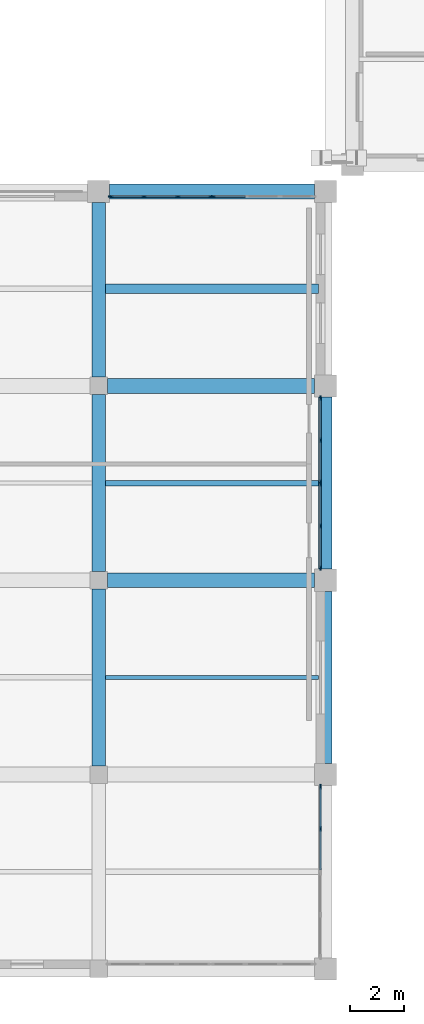
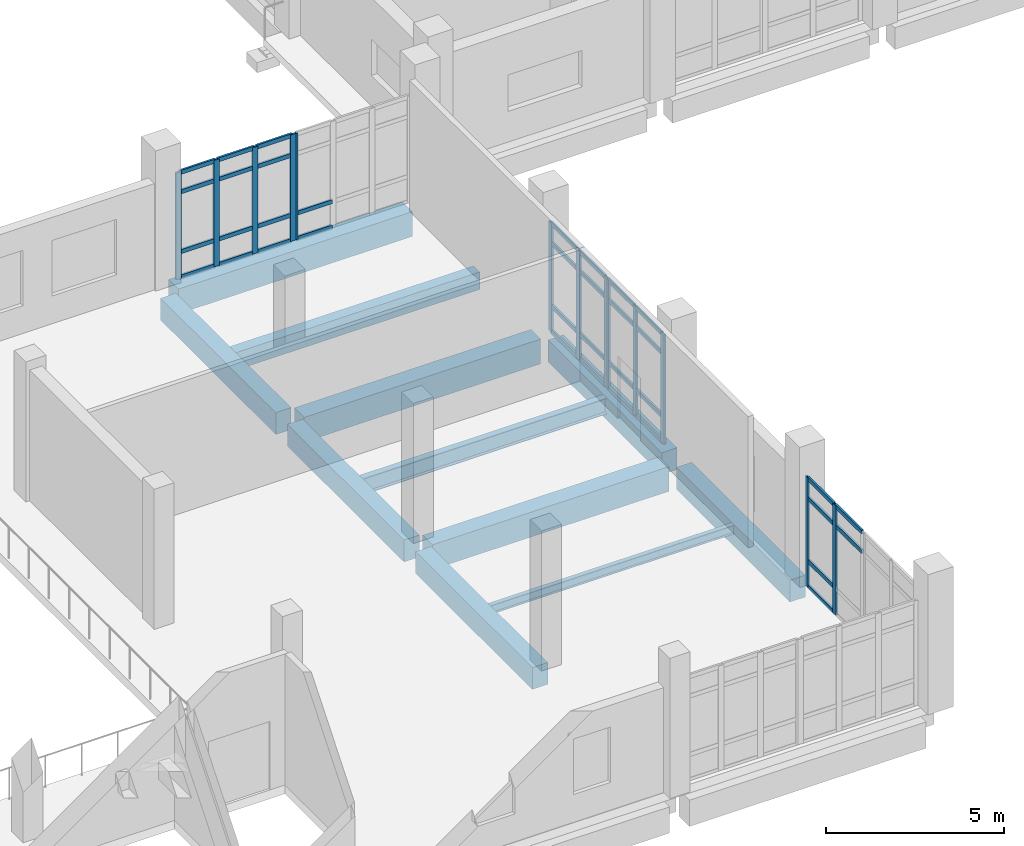
# One storey, part 7 of 90: 49 members, 11 beams, 5 elements without a shape of their own.
"""IFC4 building model written with IfcOpenShell, lengths in metres."""

from ifc_helpers import new_model, si_unit, direction, frame, origin, origin_2d, place, context, subcontext, project, spatial, rectangle, i_section, extrude, material, layer, layer_set, material_profile, profile_set, type_object, element, aggregate, save


model = new_model("IFC4")

# Units and contexts
model_context = context("Model", 3, precision=1e-05, world=origin(), true_north=direction((0.0, 1.0)))
body_context = subcontext(model_context, "Body", "Model", "MODEL_VIEW")
ifc_project = project(units=[si_unit("LENGTHUNIT", "METRE"), si_unit("AREAUNIT", "SQUARE_METRE"), si_unit("VOLUMEUNIT", "CUBIC_METRE"), si_unit("PLANEANGLEUNIT", "RADIAN"), si_unit("MASSUNIT", "GRAM", prefix="KILO")], contexts=[model_context])

# Site, building, storey
site_placement = place(None, origin())
site = spatial("IfcSite", under=ifc_project, at=site_placement, CompositionType="ELEMENT")
building_placement = place(site_placement, origin())
building = spatial("IfcBuilding", under=site, at=building_placement, Name="Kelarvand Opera House", CompositionType="ELEMENT")
storey_placement = place(building_placement, frame((0.0, 0.0, 5.39990234375)))
storey = spatial("IfcBuildingStorey", under=building, at=storey_placement, Name="L01", CompositionType="ELEMENT", Elevation=5.39990234375)

# Curtain wall, members
ifc_material_1 = material(Name="Thermally broken aluminium and low-E glazing", Category="aluminium")
ifc_layer_1 = layer(ifc_material_1, 0.179931640625, Name="Thermally broken aluminium and low-E glazing", Category="aluminium")
ifc_layer_set_1 = layer_set([ifc_layer_1], Name="Thermally broken aluminium and low-E glazing")
curtain_wall_type_1 = type_object("IfcCurtainWallType", Name="Unitised Low-E Curtain Wall 3776x3650 Mod 1350 CWF-27", PredefinedType="USERDEFINED", material=ifc_layer_set_1)
curtain_wall_1_placement = place(storey_placement, origin())
curtain_wall_1 = element("IfcCurtainWall", 1, at=curtain_wall_1_placement, inside=storey, type_object=curtain_wall_type_1, Name="V4 L01 Curtain Wall CWF-27 (127)", ObjectType="UNITISED CURTAIN WALL", PredefinedType="USERDEFINED")
ifc_material_2 = material(Name="Thermally broken anodised aluminium", Category="aluminium")
ifc_material_profile_1 = material_profile(ifc_material_2, rectangle(XDim=0.06494140625, YDim=0.179931640625, at=origin_2d()), Name="ALU MULLION 65x180", Category="aluminium")
ifc_profile_set_1 = profile_set([ifc_material_profile_1], Name="Thermally broken anodised aluminium")
member_type_1 = type_object("IfcMemberType", Name="Curtain Wall Mullion 65x180 Aluminium", PredefinedType="MULLION", material=ifc_profile_set_1)
member_1_placement = place(storey_placement, frame((43.052490234375, 37.6201171875, 0.0), z_axis=(0.0, 0.0, 1.0), x_axis=(0.0, 1.0, 0.0)))
member_1 = element("IfcMember", 2, at=member_1_placement, type_object=member_type_1, Name="CWF-27 mullion 1", PredefinedType="MULLION", context=body_context, shape_type="SweptSolid", body=[
    extrude(rectangle(XDim=0.06494140625, YDim=0.179931640625, at=origin_2d()), origin(), (0.0, 0.0, 1.0), 3.650146484375),
])
member_2_placement = place(storey_placement, frame((44.278564453125, 37.6201171875, 0.0), z_axis=(0.0, 0.0, 1.0), x_axis=(0.0, 1.0, 0.0)))
member_2 = element("IfcMember", 3, at=member_2_placement, type_object=member_type_1, Name="CWF-27 mullion 2", PredefinedType="MULLION", context=body_context, shape_type="SweptSolid", body=[
    extrude(rectangle(XDim=0.06494140625, YDim=0.179931640625, at=origin_2d()), origin(), (0.0, 0.0, 1.0), 3.650146484375),
])
member_3_placement = place(storey_placement, frame((45.537353515625, 37.6201171875, 0.0), z_axis=(0.0, 0.0, 1.0), x_axis=(0.0, 1.0, 0.0)))
member_3 = element("IfcMember", 4, at=member_3_placement, type_object=member_type_1, Name="CWF-27 mullion 3", PredefinedType="MULLION", context=body_context, shape_type="SweptSolid", body=[
    extrude(rectangle(XDim=0.06494140625, YDim=0.179931640625, at=origin_2d()), origin(), (0.0, 0.0, 1.0), 3.650146484375),
])
member_4_placement = place(storey_placement, frame((46.763427734375, 37.6201171875, 0.0), z_axis=(0.0, 0.0, 1.0), x_axis=(0.0, 1.0, 0.0)))
member_4 = element("IfcMember", 5, at=member_4_placement, type_object=member_type_1, Name="CWF-27 mullion 4", PredefinedType="MULLION", context=body_context, shape_type="SweptSolid", body=[
    extrude(rectangle(XDim=0.06494140625, YDim=0.179931640625, at=origin_2d()), origin(), (0.0, 0.0, 1.0), 3.650146484375),
])

# Curtain wall, member
curtain_wall_2_placement = place(storey_placement, origin())
curtain_wall_2 = element("IfcCurtainWall", 6, at=curtain_wall_2_placement, inside=storey, type_object=curtain_wall_type_1, Name="V4 L01 Curtain Wall CWF-27 (128)", ObjectType="UNITISED CURTAIN WALL", PredefinedType="USERDEFINED")
member_5_placement = place(storey_placement, frame((46.83251953125, 37.6201171875, 0.0), z_axis=(0.0, 0.0, 1.0), x_axis=(0.0, 1.0, 0.0)))
member_5 = element("IfcMember", 7, at=member_5_placement, type_object=member_type_1, Name="CWF-27 mullion 1", PredefinedType="MULLION", context=body_context, shape_type="SweptSolid", body=[
    extrude(rectangle(XDim=0.06494140625, YDim=0.179931640625, at=origin_2d()), origin(), (0.0, 0.0, 1.0), 3.650146484375),
])

# Curtain wall, members
ifc_layer_2 = layer(ifc_material_1, 0.179931640625, Name="Thermally broken aluminium and low-E glazing", Category="aluminium")
ifc_layer_set_2 = layer_set([ifc_layer_2], Name="Thermally broken aluminium and low-E glazing")
curtain_wall_type_2 = type_object("IfcCurtainWallType", Name="Unitised Low-E Curtain Wall 3176x3730 Mod 1350 CWF-10", PredefinedType="USERDEFINED", material=ifc_layer_set_2)
curtain_wall_3_placement = place(storey_placement, origin())
curtain_wall_3 = element("IfcCurtainWall", 8, at=curtain_wall_3_placement, inside=storey, type_object=curtain_wall_type_2, Name="V4 L01 Curtain Wall CWF-10 (129)", ObjectType="UNITISED CURTAIN WALL", PredefinedType="USERDEFINED")
member_6_placement = place(storey_placement, frame((50.820068359375, 30.1474609375, 0.0), z_axis=(0.0, 0.0, 1.0), x_axis=(1.0, 0.0, 0.0)))
member_6 = element("IfcMember", 9, at=member_6_placement, type_object=member_type_1, Name="CWF-10 mullion 1", PredefinedType="MULLION", context=body_context, shape_type="SweptSolid", body=[
    extrude(rectangle(XDim=0.06494140625, YDim=0.179931640625, at=origin_2d()), origin(), (0.0, 0.0, 1.0), 3.75),
])
member_7_placement = place(storey_placement, frame((50.820068359375, 28.592041015625, 0.0), z_axis=(0.0, 0.0, 1.0), x_axis=(1.0, 0.0, 0.0)))
member_7 = element("IfcMember", 10, at=member_7_placement, type_object=member_type_1, Name="CWF-10 mullion 2", PredefinedType="MULLION", context=body_context, shape_type="SweptSolid", body=[
    extrude(rectangle(XDim=0.06494140625, YDim=0.179931640625, at=origin_2d()), origin(), (0.0, 0.0, 1.0), 3.75),
])
member_8_placement = place(storey_placement, frame((50.820068359375, 27.03662109375, 0.0), z_axis=(0.0, 0.0, 1.0), x_axis=(1.0, 0.0, 0.0)))
member_8 = element("IfcMember", 11, at=member_8_placement, type_object=member_type_1, Name="CWF-10 mullion 3", PredefinedType="MULLION", context=body_context, shape_type="SweptSolid", body=[
    extrude(rectangle(XDim=0.06494140625, YDim=0.179931640625, at=origin_2d()), origin(), (0.0, 0.0, 1.0), 3.75),
])

curtain_wall_4_placement = place(storey_placement, origin())
curtain_wall_4 = element("IfcCurtainWall", 12, at=curtain_wall_4_placement, inside=storey, type_object=curtain_wall_type_2, Name="V4 L01 Curtain Wall CWF-10 (130)", ObjectType="UNITISED CURTAIN WALL", PredefinedType="USERDEFINED")
member_9_placement = place(storey_placement, frame((50.820068359375, 26.967529296875, 0.0), z_axis=(0.0, 0.0, 1.0), x_axis=(1.0, 0.0, 0.0)))
member_9 = element("IfcMember", 13, at=member_9_placement, type_object=member_type_1, Name="CWF-10 mullion 1", PredefinedType="MULLION", context=body_context, shape_type="SweptSolid", body=[
    extrude(rectangle(XDim=0.06494140625, YDim=0.179931640625, at=origin_2d()), origin(), (0.0, 0.0, 1.0), 3.75),
])
member_10_placement = place(storey_placement, frame((50.820068359375, 25.409912109375, 0.0), z_axis=(0.0, 0.0, 1.0), x_axis=(1.0, 0.0, 0.0)))
member_10 = element("IfcMember", 14, at=member_10_placement, type_object=member_type_1, Name="CWF-10 mullion 2", PredefinedType="MULLION", context=body_context, shape_type="SweptSolid", body=[
    extrude(rectangle(XDim=0.06494140625, YDim=0.179931640625, at=origin_2d()), origin(), (0.0, 0.0, 1.0), 3.75),
])
member_11_placement = place(storey_placement, frame((50.820068359375, 23.8525390625, 0.0), z_axis=(0.0, 0.0, 1.0), x_axis=(1.0, 0.0, 0.0)))
member_11 = element("IfcMember", 15, at=member_11_placement, type_object=member_type_1, Name="CWF-10 mullion 3", PredefinedType="MULLION", context=body_context, shape_type="SweptSolid", body=[
    extrude(rectangle(XDim=0.06494140625, YDim=0.179931640625, at=origin_2d()), origin(), (0.0, 0.0, 1.0), 3.75),
])

curtain_wall_5_placement = place(storey_placement, origin())
curtain_wall_5 = element("IfcCurtainWall", 16, at=curtain_wall_5_placement, inside=storey, type_object=curtain_wall_type_2, Name="V4 L01 Curtain Wall CWF-10 (131)", ObjectType="UNITISED CURTAIN WALL", PredefinedType="USERDEFINED")
member_12_placement = place(storey_placement, frame((50.820068359375, 15.74755859375, 0.0), z_axis=(0.0, 0.0, 1.0), x_axis=(1.0, 0.0, 0.0)))
member_12 = element("IfcMember", 17, at=member_12_placement, type_object=member_type_1, Name="CWF-10 mullion 1", PredefinedType="MULLION", context=body_context, shape_type="SweptSolid", body=[
    extrude(rectangle(XDim=0.06494140625, YDim=0.179931640625, at=origin_2d()), origin(), (0.0, 0.0, 1.0), 3.75),
])
member_13_placement = place(storey_placement, frame((50.820068359375, 14.19189453125, 0.0), z_axis=(0.0, 0.0, 1.0), x_axis=(1.0, 0.0, 0.0)))
member_13 = element("IfcMember", 18, at=member_13_placement, type_object=member_type_1, Name="CWF-10 mullion 2", PredefinedType="MULLION", context=body_context, shape_type="SweptSolid", body=[
    extrude(rectangle(XDim=0.06494140625, YDim=0.179931640625, at=origin_2d()), origin(), (0.0, 0.0, 1.0), 3.75),
])

# Member
ifc_material_profile_2 = material_profile(ifc_material_2, rectangle(XDim=0.06494140625, YDim=0.139892578125, at=origin_2d()), Name="ALU TRANSOM 65x140", Category="aluminium")
ifc_profile_set_2 = profile_set([ifc_material_profile_2], Name="Thermally broken anodised aluminium")
member_type_2 = type_object("IfcMemberType", Name="Curtain Wall Transom 65x140 Aluminium", PredefinedType="USERDEFINED", material=ifc_profile_set_2)
member_14_placement = place(storey_placement, frame((43.0849609375, 37.6201171875, 0.03271484375), z_axis=(1.0, 0.0, 0.0), x_axis=(0.0, 1.0, 0.0)))
member_14 = element("IfcMember", 19, at=member_14_placement, type_object=member_type_2, Name="CWF-27 transom 1.1", ObjectType="TRANSOM", PredefinedType="USERDEFINED", context=body_context, shape_type="SweptSolid", body=[
    extrude(rectangle(XDim=0.06494140625, YDim=0.139892578125, at=origin_2d()), origin(), (0.0, 0.0, 1.0), 1.1611328125),
])

member_15_placement = place(storey_placement, frame((43.0849609375, 37.6201171875, 0.900146484375), z_axis=(1.0, 0.0, 0.0), x_axis=(0.0, 1.0, 0.0)))
member_15 = element("IfcMember", 20, at=member_15_placement, type_object=member_type_2, Name="CWF-27 transom 1.2", ObjectType="TRANSOM", PredefinedType="USERDEFINED", context=body_context, shape_type="SweptSolid", body=[
    extrude(rectangle(XDim=0.06494140625, YDim=0.139892578125, at=origin_2d()), origin(), (0.0, 0.0, 1.0), 1.1611328125),
])

member_16_placement = place(storey_placement, frame((43.0849609375, 37.6201171875, 2.9501953125), z_axis=(1.0, 0.0, 0.0), x_axis=(0.0, 1.0, 0.0)))
member_16 = element("IfcMember", 21, at=member_16_placement, type_object=member_type_2, Name="CWF-27 transom 1.3", ObjectType="TRANSOM", PredefinedType="USERDEFINED", context=body_context, shape_type="SweptSolid", body=[
    extrude(rectangle(XDim=0.06494140625, YDim=0.139892578125, at=origin_2d()), origin(), (0.0, 0.0, 1.0), 1.1611328125),
])

member_17_placement = place(storey_placement, frame((43.0849609375, 37.6201171875, 3.61767578125), z_axis=(1.0, 0.0, 0.0), x_axis=(0.0, 1.0, 0.0)))
member_17 = element("IfcMember", 22, at=member_17_placement, type_object=member_type_2, Name="CWF-27 transom 1.4", ObjectType="TRANSOM", PredefinedType="USERDEFINED", context=body_context, shape_type="SweptSolid", body=[
    extrude(rectangle(XDim=0.06494140625, YDim=0.139892578125, at=origin_2d()), origin(), (0.0, 0.0, 1.0), 1.1611328125),
])

member_18_placement = place(storey_placement, frame((44.311279296875, 37.6201171875, 0.03271484375), z_axis=(1.0, 0.0, 0.0), x_axis=(0.0, 1.0, 0.0)))
member_18 = element("IfcMember", 23, at=member_18_placement, type_object=member_type_2, Name="CWF-27 transom 2.1", ObjectType="TRANSOM", PredefinedType="USERDEFINED", context=body_context, shape_type="SweptSolid", body=[
    extrude(rectangle(XDim=0.06494140625, YDim=0.139892578125, at=origin_2d()), origin(), (0.0, 0.0, 1.0), 1.193603515625),
])

member_19_placement = place(storey_placement, frame((44.311279296875, 37.6201171875, 0.900146484375), z_axis=(1.0, 0.0, 0.0), x_axis=(0.0, 1.0, 0.0)))
member_19 = element("IfcMember", 24, at=member_19_placement, type_object=member_type_2, Name="CWF-27 transom 2.2", ObjectType="TRANSOM", PredefinedType="USERDEFINED", context=body_context, shape_type="SweptSolid", body=[
    extrude(rectangle(XDim=0.06494140625, YDim=0.139892578125, at=origin_2d()), origin(), (0.0, 0.0, 1.0), 1.193603515625),
])

member_20_placement = place(storey_placement, frame((44.311279296875, 37.6201171875, 2.9501953125), z_axis=(1.0, 0.0, 0.0), x_axis=(0.0, 1.0, 0.0)))
member_20 = element("IfcMember", 25, at=member_20_placement, type_object=member_type_2, Name="CWF-27 transom 2.3", ObjectType="TRANSOM", PredefinedType="USERDEFINED", context=body_context, shape_type="SweptSolid", body=[
    extrude(rectangle(XDim=0.06494140625, YDim=0.139892578125, at=origin_2d()), origin(), (0.0, 0.0, 1.0), 1.193603515625),
])

member_21_placement = place(storey_placement, frame((44.311279296875, 37.6201171875, 3.61767578125), z_axis=(1.0, 0.0, 0.0), x_axis=(0.0, 1.0, 0.0)))
member_21 = element("IfcMember", 26, at=member_21_placement, type_object=member_type_2, Name="CWF-27 transom 2.4", ObjectType="TRANSOM", PredefinedType="USERDEFINED", context=body_context, shape_type="SweptSolid", body=[
    extrude(rectangle(XDim=0.06494140625, YDim=0.139892578125, at=origin_2d()), origin(), (0.0, 0.0, 1.0), 1.193603515625),
])

member_22_placement = place(storey_placement, frame((45.56982421875, 37.6201171875, 0.03271484375), z_axis=(1.0, 0.0, 0.0), x_axis=(0.0, 1.0, 0.0)))
member_22 = element("IfcMember", 27, at=member_22_placement, type_object=member_type_2, Name="CWF-27 transom 3.1", ObjectType="TRANSOM", PredefinedType="USERDEFINED", context=body_context, shape_type="SweptSolid", body=[
    extrude(rectangle(XDim=0.06494140625, YDim=0.139892578125, at=origin_2d()), origin(), (0.0, 0.0, 1.0), 1.1611328125),
])

member_23_placement = place(storey_placement, frame((45.56982421875, 37.6201171875, 0.900146484375), z_axis=(1.0, 0.0, 0.0), x_axis=(0.0, 1.0, 0.0)))
member_23 = element("IfcMember", 28, at=member_23_placement, type_object=member_type_2, Name="CWF-27 transom 3.2", ObjectType="TRANSOM", PredefinedType="USERDEFINED", context=body_context, shape_type="SweptSolid", body=[
    extrude(rectangle(XDim=0.06494140625, YDim=0.139892578125, at=origin_2d()), origin(), (0.0, 0.0, 1.0), 1.1611328125),
])

member_24_placement = place(storey_placement, frame((45.56982421875, 37.6201171875, 2.9501953125), z_axis=(1.0, 0.0, 0.0), x_axis=(0.0, 1.0, 0.0)))
member_24 = element("IfcMember", 29, at=member_24_placement, type_object=member_type_2, Name="CWF-27 transom 3.3", ObjectType="TRANSOM", PredefinedType="USERDEFINED", context=body_context, shape_type="SweptSolid", body=[
    extrude(rectangle(XDim=0.06494140625, YDim=0.139892578125, at=origin_2d()), origin(), (0.0, 0.0, 1.0), 1.1611328125),
])

member_25_placement = place(storey_placement, frame((45.56982421875, 37.6201171875, 3.61767578125), z_axis=(1.0, 0.0, 0.0), x_axis=(0.0, 1.0, 0.0)))
member_25 = element("IfcMember", 30, at=member_25_placement, type_object=member_type_2, Name="CWF-27 transom 3.4", ObjectType="TRANSOM", PredefinedType="USERDEFINED", context=body_context, shape_type="SweptSolid", body=[
    extrude(rectangle(XDim=0.06494140625, YDim=0.139892578125, at=origin_2d()), origin(), (0.0, 0.0, 1.0), 1.1611328125),
])

aggregate(curtain_wall_1, [member_1, member_2, member_3, member_4, member_14, member_15, member_16, member_17, member_18, member_19, member_20, member_21, member_22, member_23, member_24, member_25])

member_26_placement = place(storey_placement, frame((46.864990234375, 37.6201171875, 0.03271484375), z_axis=(1.0, 0.0, 0.0), x_axis=(0.0, 1.0, 0.0)))
member_26 = element("IfcMember", 31, at=member_26_placement, type_object=member_type_2, Name="CWF-27 transom 1.1", ObjectType="TRANSOM", PredefinedType="USERDEFINED", context=body_context, shape_type="SweptSolid", body=[
    extrude(rectangle(XDim=0.06494140625, YDim=0.139892578125, at=origin_2d()), origin(), (0.0, 0.0, 1.0), 1.16259765625),
])

member_27_placement = place(storey_placement, frame((46.864990234375, 37.6201171875, 0.900146484375), z_axis=(1.0, 0.0, 0.0), x_axis=(0.0, 1.0, 0.0)))
member_27 = element("IfcMember", 32, at=member_27_placement, type_object=member_type_2, Name="CWF-27 transom 1.2", ObjectType="TRANSOM", PredefinedType="USERDEFINED", context=body_context, shape_type="SweptSolid", body=[
    extrude(rectangle(XDim=0.06494140625, YDim=0.139892578125, at=origin_2d()), origin(), (0.0, 0.0, 1.0), 1.16259765625),
])

aggregate(curtain_wall_2, [member_5, member_26, member_27])

member_28_placement = place(storey_placement, frame((50.820068359375, 30.114990234375, 0.03271484375), z_axis=(0.0, -1.0, 0.0), x_axis=(1.0, 0.0, 0.0)))
member_28 = element("IfcMember", 33, at=member_28_placement, type_object=member_type_2, Name="CWF-10 transom 1.1", ObjectType="TRANSOM", PredefinedType="USERDEFINED", context=body_context, shape_type="SweptSolid", body=[
    extrude(rectangle(XDim=0.06494140625, YDim=0.139892578125, at=origin_2d()), origin(), (0.0, 0.0, 1.0), 1.490478515625),
])

member_29_placement = place(storey_placement, frame((50.820068359375, 30.114990234375, 0.900146484375), z_axis=(0.0, -1.0, 0.0), x_axis=(1.0, 0.0, 0.0)))
member_29 = element("IfcMember", 34, at=member_29_placement, type_object=member_type_2, Name="CWF-10 transom 1.2", ObjectType="TRANSOM", PredefinedType="USERDEFINED", context=body_context, shape_type="SweptSolid", body=[
    extrude(rectangle(XDim=0.06494140625, YDim=0.139892578125, at=origin_2d()), origin(), (0.0, 0.0, 1.0), 1.490478515625),
])

member_30_placement = place(storey_placement, frame((50.820068359375, 30.114990234375, 3.050048828125), z_axis=(0.0, -1.0, 0.0), x_axis=(1.0, 0.0, 0.0)))
member_30 = element("IfcMember", 35, at=member_30_placement, type_object=member_type_2, Name="CWF-10 transom 1.3", ObjectType="TRANSOM", PredefinedType="USERDEFINED", context=body_context, shape_type="SweptSolid", body=[
    extrude(rectangle(XDim=0.06494140625, YDim=0.139892578125, at=origin_2d()), origin(), (0.0, 0.0, 1.0), 1.490478515625),
])

member_31_placement = place(storey_placement, frame((50.820068359375, 30.114990234375, 3.717529296875), z_axis=(0.0, -1.0, 0.0), x_axis=(1.0, 0.0, 0.0)))
member_31 = element("IfcMember", 36, at=member_31_placement, type_object=member_type_2, Name="CWF-10 transom 1.4", ObjectType="TRANSOM", PredefinedType="USERDEFINED", context=body_context, shape_type="SweptSolid", body=[
    extrude(rectangle(XDim=0.06494140625, YDim=0.139892578125, at=origin_2d()), origin(), (0.0, 0.0, 1.0), 1.490478515625),
])

member_32_placement = place(storey_placement, frame((50.820068359375, 28.5595703125, 0.03271484375), z_axis=(0.0, -1.0, 0.0), x_axis=(1.0, 0.0, 0.0)))
member_32 = element("IfcMember", 37, at=member_32_placement, type_object=member_type_2, Name="CWF-10 transom 2.1", ObjectType="TRANSOM", PredefinedType="USERDEFINED", context=body_context, shape_type="SweptSolid", body=[
    extrude(rectangle(XDim=0.06494140625, YDim=0.139892578125, at=origin_2d()), origin(), (0.0, 0.0, 1.0), 1.490478515625),
])

member_33_placement = place(storey_placement, frame((50.820068359375, 28.5595703125, 0.900146484375), z_axis=(0.0, -1.0, 0.0), x_axis=(1.0, 0.0, 0.0)))
member_33 = element("IfcMember", 38, at=member_33_placement, type_object=member_type_2, Name="CWF-10 transom 2.2", ObjectType="TRANSOM", PredefinedType="USERDEFINED", context=body_context, shape_type="SweptSolid", body=[
    extrude(rectangle(XDim=0.06494140625, YDim=0.139892578125, at=origin_2d()), origin(), (0.0, 0.0, 1.0), 1.490478515625),
])

member_34_placement = place(storey_placement, frame((50.820068359375, 28.5595703125, 3.050048828125), z_axis=(0.0, -1.0, 0.0), x_axis=(1.0, 0.0, 0.0)))
member_34 = element("IfcMember", 39, at=member_34_placement, type_object=member_type_2, Name="CWF-10 transom 2.3", ObjectType="TRANSOM", PredefinedType="USERDEFINED", context=body_context, shape_type="SweptSolid", body=[
    extrude(rectangle(XDim=0.06494140625, YDim=0.139892578125, at=origin_2d()), origin(), (0.0, 0.0, 1.0), 1.490478515625),
])

member_35_placement = place(storey_placement, frame((50.820068359375, 28.5595703125, 3.717529296875), z_axis=(0.0, -1.0, 0.0), x_axis=(1.0, 0.0, 0.0)))
member_35 = element("IfcMember", 40, at=member_35_placement, type_object=member_type_2, Name="CWF-10 transom 2.4", ObjectType="TRANSOM", PredefinedType="USERDEFINED", context=body_context, shape_type="SweptSolid", body=[
    extrude(rectangle(XDim=0.06494140625, YDim=0.139892578125, at=origin_2d()), origin(), (0.0, 0.0, 1.0), 1.490478515625),
])

aggregate(curtain_wall_3, [member_6, member_7, member_8, member_28, member_29, member_30, member_31, member_32, member_33, member_34, member_35])

member_36_placement = place(storey_placement, frame((50.820068359375, 26.93505859375, 0.03271484375), z_axis=(0.0, -1.0, 0.0), x_axis=(1.0, 0.0, 0.0)))
member_36 = element("IfcMember", 41, at=member_36_placement, type_object=member_type_2, Name="CWF-10 transom 1.1", ObjectType="TRANSOM", PredefinedType="USERDEFINED", context=body_context, shape_type="SweptSolid", body=[
    extrude(rectangle(XDim=0.06494140625, YDim=0.139892578125, at=origin_2d()), origin(), (0.0, 0.0, 1.0), 1.49267578125),
])

member_37_placement = place(storey_placement, frame((50.820068359375, 26.93505859375, 0.900146484375), z_axis=(0.0, -1.0, 0.0), x_axis=(1.0, 0.0, 0.0)))
member_37 = element("IfcMember", 42, at=member_37_placement, type_object=member_type_2, Name="CWF-10 transom 1.2", ObjectType="TRANSOM", PredefinedType="USERDEFINED", context=body_context, shape_type="SweptSolid", body=[
    extrude(rectangle(XDim=0.06494140625, YDim=0.139892578125, at=origin_2d()), origin(), (0.0, 0.0, 1.0), 1.49267578125),
])

member_38_placement = place(storey_placement, frame((50.820068359375, 26.93505859375, 3.050048828125), z_axis=(0.0, -1.0, 0.0), x_axis=(1.0, 0.0, 0.0)))
member_38 = element("IfcMember", 43, at=member_38_placement, type_object=member_type_2, Name="CWF-10 transom 1.3", ObjectType="TRANSOM", PredefinedType="USERDEFINED", context=body_context, shape_type="SweptSolid", body=[
    extrude(rectangle(XDim=0.06494140625, YDim=0.139892578125, at=origin_2d()), origin(), (0.0, 0.0, 1.0), 1.49267578125),
])

member_39_placement = place(storey_placement, frame((50.820068359375, 26.93505859375, 3.717529296875), z_axis=(0.0, -1.0, 0.0), x_axis=(1.0, 0.0, 0.0)))
member_39 = element("IfcMember", 44, at=member_39_placement, type_object=member_type_2, Name="CWF-10 transom 1.4", ObjectType="TRANSOM", PredefinedType="USERDEFINED", context=body_context, shape_type="SweptSolid", body=[
    extrude(rectangle(XDim=0.06494140625, YDim=0.139892578125, at=origin_2d()), origin(), (0.0, 0.0, 1.0), 1.49267578125),
])

member_40_placement = place(storey_placement, frame((50.820068359375, 25.37744140625, 0.03271484375), z_axis=(0.0, -1.0, 0.0), x_axis=(1.0, 0.0, 0.0)))
member_40 = element("IfcMember", 45, at=member_40_placement, type_object=member_type_2, Name="CWF-10 transom 2.1", ObjectType="TRANSOM", PredefinedType="USERDEFINED", context=body_context, shape_type="SweptSolid", body=[
    extrude(rectangle(XDim=0.06494140625, YDim=0.139892578125, at=origin_2d()), origin(), (0.0, 0.0, 1.0), 1.492431640625),
])

member_41_placement = place(storey_placement, frame((50.820068359375, 25.37744140625, 0.900146484375), z_axis=(0.0, -1.0, 0.0), x_axis=(1.0, 0.0, 0.0)))
member_41 = element("IfcMember", 46, at=member_41_placement, type_object=member_type_2, Name="CWF-10 transom 2.2", ObjectType="TRANSOM", PredefinedType="USERDEFINED", context=body_context, shape_type="SweptSolid", body=[
    extrude(rectangle(XDim=0.06494140625, YDim=0.139892578125, at=origin_2d()), origin(), (0.0, 0.0, 1.0), 1.492431640625),
])

member_42_placement = place(storey_placement, frame((50.820068359375, 25.37744140625, 3.050048828125), z_axis=(0.0, -1.0, 0.0), x_axis=(1.0, 0.0, 0.0)))
member_42 = element("IfcMember", 47, at=member_42_placement, type_object=member_type_2, Name="CWF-10 transom 2.3", ObjectType="TRANSOM", PredefinedType="USERDEFINED", context=body_context, shape_type="SweptSolid", body=[
    extrude(rectangle(XDim=0.06494140625, YDim=0.139892578125, at=origin_2d()), origin(), (0.0, 0.0, 1.0), 1.492431640625),
])

member_43_placement = place(storey_placement, frame((50.820068359375, 25.37744140625, 3.717529296875), z_axis=(0.0, -1.0, 0.0), x_axis=(1.0, 0.0, 0.0)))
member_43 = element("IfcMember", 48, at=member_43_placement, type_object=member_type_2, Name="CWF-10 transom 2.4", ObjectType="TRANSOM", PredefinedType="USERDEFINED", context=body_context, shape_type="SweptSolid", body=[
    extrude(rectangle(XDim=0.06494140625, YDim=0.139892578125, at=origin_2d()), origin(), (0.0, 0.0, 1.0), 1.492431640625),
])

aggregate(curtain_wall_4, [member_9, member_10, member_11, member_36, member_37, member_38, member_39, member_40, member_41, member_42, member_43])

member_44_placement = place(storey_placement, frame((50.820068359375, 15.715087890625, 0.03271484375), z_axis=(0.0, -1.0, 0.0), x_axis=(1.0, 0.0, 0.0)))
member_44 = element("IfcMember", 49, at=member_44_placement, type_object=member_type_2, Name="CWF-10 transom 1.1", ObjectType="TRANSOM", PredefinedType="USERDEFINED", context=body_context, shape_type="SweptSolid", body=[
    extrude(rectangle(XDim=0.06494140625, YDim=0.139892578125, at=origin_2d()), origin(), (0.0, 0.0, 1.0), 1.490478515625),
])

member_45_placement = place(storey_placement, frame((50.820068359375, 15.715087890625, 0.900146484375), z_axis=(0.0, -1.0, 0.0), x_axis=(1.0, 0.0, 0.0)))
member_45 = element("IfcMember", 50, at=member_45_placement, type_object=member_type_2, Name="CWF-10 transom 1.2", ObjectType="TRANSOM", PredefinedType="USERDEFINED", context=body_context, shape_type="SweptSolid", body=[
    extrude(rectangle(XDim=0.06494140625, YDim=0.139892578125, at=origin_2d()), origin(), (0.0, 0.0, 1.0), 1.490478515625),
])

member_46_placement = place(storey_placement, frame((50.820068359375, 15.715087890625, 3.050048828125), z_axis=(0.0, -1.0, 0.0), x_axis=(1.0, 0.0, 0.0)))
member_46 = element("IfcMember", 51, at=member_46_placement, type_object=member_type_2, Name="CWF-10 transom 1.3", ObjectType="TRANSOM", PredefinedType="USERDEFINED", context=body_context, shape_type="SweptSolid", body=[
    extrude(rectangle(XDim=0.06494140625, YDim=0.139892578125, at=origin_2d()), origin(), (0.0, 0.0, 1.0), 1.490478515625),
])

member_47_placement = place(storey_placement, frame((50.820068359375, 15.715087890625, 3.717529296875), z_axis=(0.0, -1.0, 0.0), x_axis=(1.0, 0.0, 0.0)))
member_47 = element("IfcMember", 52, at=member_47_placement, type_object=member_type_2, Name="CWF-10 transom 1.4", ObjectType="TRANSOM", PredefinedType="USERDEFINED", context=body_context, shape_type="SweptSolid", body=[
    extrude(rectangle(XDim=0.06494140625, YDim=0.139892578125, at=origin_2d()), origin(), (0.0, 0.0, 1.0), 1.490478515625),
])

member_48_placement = place(storey_placement, frame((50.820068359375, 14.159423828125, 3.050048828125), z_axis=(0.0, -1.0, 0.0), x_axis=(1.0, 0.0, 0.0)))
member_48 = element("IfcMember", 53, at=member_48_placement, type_object=member_type_2, Name="CWF-10 transom 2.3", ObjectType="TRANSOM", PredefinedType="USERDEFINED", context=body_context, shape_type="SweptSolid", body=[
    extrude(rectangle(XDim=0.06494140625, YDim=0.139892578125, at=origin_2d()), origin(), (0.0, 0.0, 1.0), 1.490478515625),
])

member_49_placement = place(storey_placement, frame((50.820068359375, 14.159423828125, 3.717529296875), z_axis=(0.0, -1.0, 0.0), x_axis=(1.0, 0.0, 0.0)))
member_49 = element("IfcMember", 54, at=member_49_placement, type_object=member_type_2, Name="CWF-10 transom 2.4", ObjectType="TRANSOM", PredefinedType="USERDEFINED", context=body_context, shape_type="SweptSolid", body=[
    extrude(rectangle(XDim=0.06494140625, YDim=0.139892578125, at=origin_2d()), origin(), (0.0, 0.0, 1.0), 1.490478515625),
])

aggregate(curtain_wall_5, [member_12, member_13, member_44, member_45, member_46, member_47, member_48, member_49])

# Beams
ifc_material_3 = material(Name="Concrete C35/45", Category="concrete")
ifc_material_profile_3 = material_profile(ifc_material_3, rectangle(XDim=0.35009765625, YDim=0.60009765625, at=origin_2d()), Name="RC 350x600", Category="concrete")
ifc_profile_set_3 = profile_set([ifc_material_profile_3], Name="Concrete C35/45")
beam_type_1 = type_object("IfcBeamType", Name="Structural Beam RC 350x600 BM-RC350x600", PredefinedType="BEAM", material=ifc_profile_set_3)
beam_1_placement = place(storey_placement, frame((42.85009765625, 34.199951171875, -0.599853515625), z_axis=(1.0, 0.0, 0.0), x_axis=(0.0, 1.0, 0.0)))
element("IfcBeam", 55, at=beam_1_placement, inside=storey, type_object=beam_type_1, Name="V4 L01 Beam BM-RC350x600", PredefinedType="BEAM", context=body_context, shape_type="SweptSolid", body=[
    extrude(rectangle(XDim=0.35009765625, YDim=0.60009765625, at=origin_2d()), origin(), (0.0, 0.0, 1.0), 7.89990234375),
])
ifc_material_4 = material(Name="Concrete C40/50", Category="concrete")
ifc_material_profile_4 = material_profile(ifc_material_4, rectangle(XDim=0.5, YDim=0.75, at=origin_2d()), Name="RC 500x750", Category="concrete")
ifc_profile_set_4 = profile_set([ifc_material_profile_4], Name="Concrete C40/50")
beam_type_2 = type_object("IfcBeamType", Name="Structural Beam RC 500x750 BM-RC500x750", PredefinedType="BEAM", material=ifc_profile_set_4)
beam_2_placement = place(storey_placement, frame((42.60009765625, 16.52490234375, -0.6748046875), z_axis=(0.0, 1.0, 0.0), x_axis=(-1.0, 0.0, 0.0)))
element("IfcBeam", 56, at=beam_2_placement, inside=storey, type_object=beam_type_2, Name="V4 L01 Beam BM-RC500x750", PredefinedType="BEAM", context=body_context, shape_type="SweptSolid", body=[
    extrude(rectangle(XDim=0.5, YDim=0.75, at=origin_2d()), origin(), (0.0, 0.0, 1.0), 6.550048828125),
])
beam_3_placement = place(storey_placement, frame((42.60009765625, 23.72509765625, -0.6748046875), z_axis=(0.0, 1.0, 0.0), x_axis=(-1.0, 0.0, 0.0)))
element("IfcBeam", 57, at=beam_3_placement, inside=storey, type_object=beam_type_2, Name="V4 L01 Beam BM-RC500x750", PredefinedType="BEAM", context=body_context, shape_type="SweptSolid", body=[
    extrude(rectangle(XDim=0.5, YDim=0.75, at=origin_2d()), origin(), (0.0, 0.0, 1.0), 6.5498046875),
])
beam_4_placement = place(storey_placement, frame((42.60009765625, 30.925048828125, -0.6748046875), z_axis=(0.0, 1.0, 0.0), x_axis=(-1.0, 0.0, 0.0)))
element("IfcBeam", 58, at=beam_4_placement, inside=storey, type_object=beam_type_2, Name="V4 L01 Beam BM-RC500x750", PredefinedType="BEAM", context=body_context, shape_type="SweptSolid", body=[
    extrude(rectangle(XDim=0.5, YDim=0.75, at=origin_2d()), origin(), (0.0, 0.0, 1.0), 6.46484375),
])
ifc_material_profile_5 = material_profile(ifc_material_4, rectangle(XDim=0.550048828125, YDim=0.85009765625, at=origin_2d()), Name="RC 550x850", Category="concrete")
ifc_profile_set_5 = profile_set([ifc_material_profile_5], Name="Concrete C40/50")
beam_type_3 = type_object("IfcBeamType", Name="Structural Beam RC 550x850 BM-RC550x850", PredefinedType="BEAM", material=ifc_profile_set_5)
for number, where, z_axis, x_axis, name in (
    (59, (42.925048828125, 23.39990234375, -0.724853515625), (1.0, 0.0, 0.0), (0.0, 1.0, 0.0), "V4 L01 Beam BM-RC550x850"),
    (60, (42.925048828125, 30.60009765625, -0.724853515625), (1.0, 0.0, 0.0), (0.0, 1.0, 0.0), "V4 L01 Beam BM-RC550x850"),
):
    element("IfcBeam", number, at=place(storey_placement, frame(where, z_axis=z_axis, x_axis=x_axis)), inside=storey, type_object=beam_type_3, Name=name, PredefinedType="BEAM", context=body_context, shape_type="SweptSolid", body=[
        extrude(rectangle(XDim=0.550048828125, YDim=0.85009765625, at=origin_2d()), origin(), (0.0, 0.0, 1.0), 7.6650390625),
    ])
beam_5_placement = place(storey_placement, frame((43.010009765625, 37.800048828125, -0.724853515625), z_axis=(1.0, 0.0, 0.0), x_axis=(0.0, 1.0, 0.0)))
element("IfcBeam", 61, at=beam_5_placement, inside=storey, type_object=beam_type_3, Name="V4 L01 Beam BM-RC550x850", PredefinedType="BEAM", context=body_context, shape_type="SweptSolid", body=[
    extrude(rectangle(XDim=0.550048828125, YDim=0.85009765625, at=origin_2d()), origin(), (0.0, 0.0, 1.0), 7.580078125),
])
ifc_material_5 = material(Name="Steel S355", Category="steel")
ifc_material_profile_6 = material_profile(ifc_material_5, i_section(OverallWidth=0.14990234375, OverallDepth=0.300048828125, WebThickness=0.007080078125, FlangeThickness=0.0107421875, at=origin_2d()), Name="IPE 300", Category="steel")
ifc_profile_set_6 = profile_set([ifc_material_profile_6], Name="Steel S355")
beam_type_4 = type_object("IfcBeamType", Name="Structural Joist IPE 300 JS-IPE300", PredefinedType="JOIST", material=ifc_profile_set_6)
beam_6_placement = place(storey_placement, frame((42.85009765625, 19.800048828125, -0.449951171875), z_axis=(1.0, 0.0, 0.0), x_axis=(0.0, 1.0, 0.0)))
element("IfcBeam", 62, at=beam_6_placement, inside=storey, type_object=beam_type_4, Name="V4 L01 Beam JS-IPE300", PredefinedType="JOIST", context=body_context, shape_type="SweptSolid", body=[
    extrude(i_section(OverallWidth=0.14990234375, OverallDepth=0.300048828125, WebThickness=0.007080078125, FlangeThickness=0.0107421875, at=origin_2d()), origin(), (0.0, 0.0, 1.0), 7.89990234375),
])
ifc_material_profile_7 = material_profile(ifc_material_5, i_section(OverallWidth=0.2099609375, OverallDepth=0.550048828125, WebThickness=0.010986328125, FlangeThickness=0.01708984375, at=origin_2d()), Name="IPE 550", Category="steel")
ifc_profile_set_7 = profile_set([ifc_material_profile_7], Name="Steel S355")
beam_type_5 = type_object("IfcBeamType", Name="Structural Joist IPE 550 JS-IPE550", PredefinedType="JOIST", material=ifc_profile_set_7)
beam_7_placement = place(storey_placement, frame((42.85009765625, 27.0, -0.574951171875), z_axis=(1.0, 0.0, 0.0), x_axis=(0.0, 1.0, 0.0)))
element("IfcBeam", 63, at=beam_7_placement, inside=storey, type_object=beam_type_5, Name="V4 L01 Beam JS-IPE550", PredefinedType="JOIST", context=body_context, shape_type="SweptSolid", body=[
    extrude(i_section(OverallWidth=0.2099609375, OverallDepth=0.550048828125, WebThickness=0.010986328125, FlangeThickness=0.01708984375, at=origin_2d()), origin(), (0.0, 0.0, 1.0), 7.89990234375),
])
ifc_material_profile_8 = material_profile(ifc_material_4, rectangle(XDim=0.5, YDim=0.75, at=origin_2d()), Name="RC 500x750", Category="concrete")
ifc_profile_set_8 = profile_set([ifc_material_profile_8], Name="Concrete C40/50")
beam_type_6 = type_object("IfcBeamType", Name="Structural Spandrel RC 500x750 SP-RC500x750E", PredefinedType="SPANDREL", material=ifc_profile_set_8)
for number, where, z_axis, x_axis, name in (
    (64, (51.0, 16.610107421875, -0.6748046875), (0.0, 1.0, 0.0), (-1.0, 0.0, 0.0), "V4 L01 Beam SP-RC500x750E"),
    (65, (51.0, 23.81005859375, -0.6748046875), (0.0, 1.0, 0.0), (-1.0, 0.0, 0.0), "V4 L01 Beam SP-RC500x750E"),
):
    element("IfcBeam", number, at=place(storey_placement, frame(where, z_axis=z_axis, x_axis=x_axis)), inside=storey, type_object=beam_type_6, Name=name, PredefinedType="SPANDREL", context=body_context, shape_type="SweptSolid", body=[
        extrude(rectangle(XDim=0.5, YDim=0.75, at=origin_2d()), origin(), (0.0, 0.0, 1.0), 6.3798828125),
    ])

save(model, "model.ifc")
